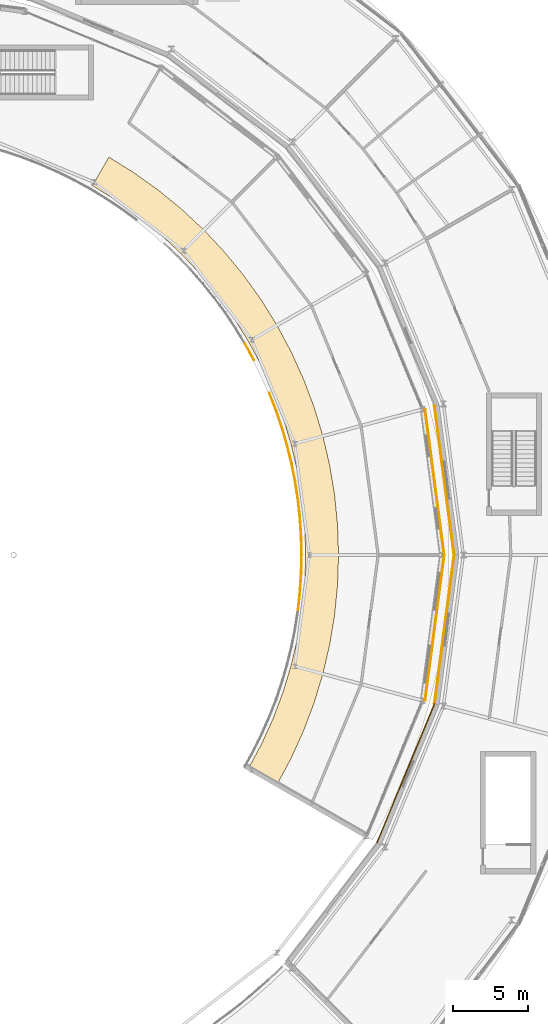
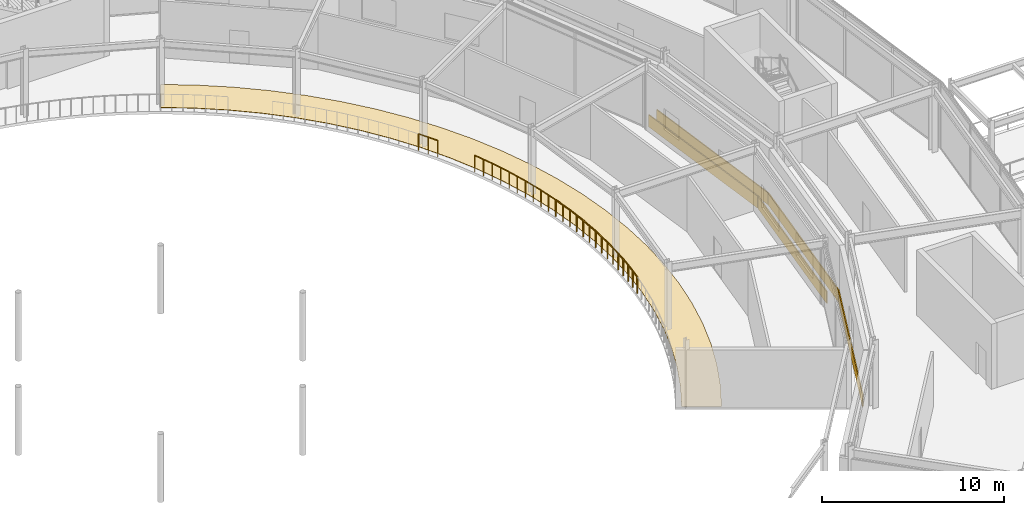
# One storey, part 140 of 157: 13 railings, 6 coverings.
"""IFC4 building model written with IfcOpenShell, lengths in metres."""

import ifcopenshell
import ifcopenshell.guid

model = None  # the IFC model being written
_history = None  # IfcOwnerHistory: only IFC2X3 demands one
_inside = {}  # id of a spatial element -> (the spatial element, [elements in it])
_under = {}  # id of a project, library or spatial element -> (it, [spatial elements below it])
_declared = {}  # id of a project -> (the project, [libraries it declares])
_typed = {}  # id of a type object -> (the type object, [elements of that type])
_made_of = {}  # id of a material, layer set ... -> (it, [elements and type objects made of it])


def new_model(schema):
    """Start an empty IFC model of exactly this schema.

    Asked for "IFC4X3", IfcOpenShell would pick the latest addendum, in which some entities
    have other attributes; the version numbers below select the first issue.
    IFC2X3 requires an IfcOwnerHistory on every rooted entity: one is made here for all.
    """
    global model, _history
    if schema == "IFC4X3":
        model = ifcopenshell.file(schema_version=(4, 3, 0, 0))
    else:
        model = ifcopenshell.file(schema=schema)
    _inside.clear()
    _under.clear()
    _declared.clear()
    _typed.clear()
    _made_of.clear()
    _history = None
    if model.schema == "IFC2X3":
        org = make("IfcOrganization", Name="unknown")
        user = make(
            "IfcPersonAndOrganization",
            ThePerson=make("IfcPerson", FamilyName="unknown"),
            TheOrganization=org,
        )
        app = make(
            "IfcApplication",
            ApplicationDeveloper=org,
            Version="unknown",
            ApplicationFullName="unknown",
            ApplicationIdentifier="unknown",
        )
        _history = make(
            "IfcOwnerHistory",
            OwningUser=user,
            OwningApplication=app,
            ChangeAction="ADDED",
            CreationDate=0,
        )
    return model


def make(cls, **values):
    """One entity of the class cls with the attributes given. An attribute that is None is left unset."""
    return model.create_entity(
        cls, **{name: value for name, value in values.items() if value is not None}
    )


def rooted(cls, **values):
    """An entity with a GlobalId (a new one), such as an element, a storey or a relation."""
    return make(cls, GlobalId=ifcopenshell.guid.new(), OwnerHistory=_history, **values)


def si_unit(unit_type, name, prefix=None):
    """IfcSIUnit, for example si_unit("LENGTHUNIT", "METRE", prefix="MILLI")."""
    return make("IfcSIUnit", UnitType=unit_type, Prefix=prefix, Name=name)


def assignment(units):
    """IfcUnitAssignment: the units of a project."""
    return None if units is None else make("IfcUnitAssignment", Units=units)


def point(xyz):
    """IfcCartesianPoint."""
    return None if xyz is None else make("IfcCartesianPoint", Coordinates=xyz)


def direction(xyz):
    """IfcDirection."""
    return None if xyz is None else make("IfcDirection", DirectionRatios=xyz)


def frame(location, z_axis=None, x_axis=None):
    """IfcAxis2Placement3D, a coordinate frame: its origin and axes. An axis left out is left unset."""
    return make(
        "IfcAxis2Placement3D",
        Location=point(location),
        Axis=direction(z_axis),
        RefDirection=direction(x_axis),
    )


def frame_2d(location, x_axis=None):
    """IfcAxis2Placement2D, a coordinate frame in the plane: its origin and x axis."""
    return make(
        "IfcAxis2Placement2D", Location=point(location), RefDirection=direction(x_axis)
    )


def origin():
    """The frame at (0, 0, 0) with its axes left unset."""
    return frame((0.0, 0.0, 0.0))


def origin_2d():
    """The frame at (0, 0) in the plane with its x axis left unset."""
    return frame_2d((0.0, 0.0))


def place(relative_to, where):
    """IfcLocalPlacement: puts the frame where relative to a parent placement (None: the world)."""
    return make(
        "IfcLocalPlacement", PlacementRelTo=relative_to, RelativePlacement=where
    )


def context(
    kind, dimensions, precision=None, world=None, true_north=None, identifier=None
):
    """IfcGeometricRepresentationContext, for example the 3D "Model" context."""
    return make(
        "IfcGeometricRepresentationContext",
        ContextIdentifier=identifier,
        ContextType=kind,
        CoordinateSpaceDimension=dimensions,
        Precision=precision,
        WorldCoordinateSystem=world,
        TrueNorth=true_north,
    )


def subcontext(parent, identifier, kind, view, scale=None):
    """IfcGeometricRepresentationSubContext, for example "Body" below "Model"."""
    return make(
        "IfcGeometricRepresentationSubContext",
        ContextIdentifier=identifier,
        ContextType=kind,
        ParentContext=parent,
        TargetScale=scale,
        TargetView=view,
    )


def project(units=None, contexts=None):
    """IfcProject with its units and contexts."""
    return rooted(
        "IfcProject",
        Name="project",
        RepresentationContexts=contexts,
        UnitsInContext=assignment(units),
    )


def spatial(cls, under=None, at=None, **own):
    """A site, building, storey or space (cls), placed at a placement, below another one or the project."""
    s = rooted(cls, ObjectPlacement=at, **own)
    if under is not None:
        _under.setdefault(under.id(), (under, []))[1].append(s)
    return s


def polyline(points):
    """IfcPolyline through the points."""
    return make("IfcPolyline", Points=[point(p) for p in points])


def profile(cls, at=None, kind="AREA", **sizes):
    """A parametric profile (cls). Its sizes go by their IFC names, for example OverallWidth=200.0."""
    return make(cls, ProfileType=kind, Position=at, **sizes)


def rectangle(**sizes):
    """IfcRectangleProfileDef."""
    return profile("IfcRectangleProfileDef", **sizes)


def circle(**sizes):
    """IfcCircleProfileDef."""
    return profile("IfcCircleProfileDef", **sizes)


def outline(outer, holes=None, kind="AREA"):
    """IfcArbitraryClosedProfileDef: a profile drawn as a closed curve; with holes, ...WithVoids."""
    if holes is None:
        return make("IfcArbitraryClosedProfileDef", ProfileType=kind, OuterCurve=outer)
    return make(
        "IfcArbitraryProfileDefWithVoids",
        ProfileType=kind,
        OuterCurve=outer,
        InnerCurves=holes,
    )


def extrude(swept, where, along, depth):
    """IfcExtrudedAreaSolid: the profile swept, set in the frame where, extruded along a direction by depth."""
    return make(
        "IfcExtrudedAreaSolid",
        SweptArea=swept,
        Position=where,
        ExtrudedDirection=direction(along),
        Depth=depth,
    )


def shape(context_of_items, identifier, shape_type, items):
    """IfcShapeRepresentation: the items that make up one representation, for example the "Body"."""
    return make(
        "IfcShapeRepresentation",
        ContextOfItems=context_of_items,
        RepresentationIdentifier=identifier,
        RepresentationType=shape_type,
        Items=items,
    )


def material(Name=None, Category=None):
    """IfcMaterial."""
    return make("IfcMaterial", Name=Name, Category=Category)


def layer(
    of_material, thickness, ventilated=None, Name=None, Category=None, Priority=None
):
    """IfcMaterialLayer: one layer of a wall or slab, of a material (None: an air gap)."""
    return make(
        "IfcMaterialLayer",
        Material=of_material,
        LayerThickness=thickness,
        IsVentilated=ventilated,
        Name=Name,
        Category=Category,
        Priority=Priority,
    )


def layer_set(layers, Name=None):
    """IfcMaterialLayerSet."""
    return make("IfcMaterialLayerSet", MaterialLayers=layers, LayerSetName=Name)


def made_of(thing, what):
    """Note that an element or type object is made of a material, layer set ...; save() writes the relation."""
    if what is not None:
        _made_of.setdefault(what.id(), (what, []))[1].append(thing)
    return thing


def type_object(cls, material=None, **own):
    """A type object (cls), such as IfcWallType, which elements share."""
    return made_of(rooted(cls, **own), material)


def element(
    cls,
    number,
    at=None,
    inside=None,
    cuts=None,
    type_object=None,
    material=None,
    context=None,
    identifier="Body",
    shape_type=None,
    held_by="IfcProductDefinitionShape",
    body=None,
    shapes=None,
    **own,
):
    """One element of the class cls, such as IfcWall. Its Tag is "e" and its number.

    at: its placement. inside: the storey or other place that contains it. cuts: it is an
    opening in that element (IfcRelVoidsElement). A single representation is given by context,
    identifier, shape_type and body (its items); several are given by shapes. held_by: the class
    of the entity that holds the representations. save() writes the other relations.
    """
    e = rooted(cls, Tag="e%d" % number, ObjectPlacement=at, **own)
    if body is not None:
        shapes = [shape(context, identifier, shape_type, body)]
    if shapes is not None:
        e.Representation = make(held_by, Representations=shapes)
    if inside is not None:
        _inside.setdefault(inside.id(), (inside, []))[1].append(e)
    if cuts is not None:
        rooted(
            "IfcRelVoidsElement", RelatingBuildingElement=cuts, RelatedOpeningElement=e
        )
    if type_object is not None:
        _typed.setdefault(type_object.id(), (type_object, []))[1].append(e)
    return made_of(e, material)


def aggregate(whole, parts):
    """IfcRelAggregates: a whole, such as a stair, and the parts it consists of."""
    return rooted("IfcRelAggregates", RelatingObject=whole, RelatedObjects=parts)


def save(model, path):
    """Write the relations noted so far, then the file.

    IfcRelAggregates (storeys below a building ...), IfcRelContainedInSpatialStructure (elements
    in a storey), IfcRelDefinesByType, IfcRelAssociatesMaterial and IfcRelDeclares: one each for
    every whole, place, type object, material and project.
    """
    for whole, parts in _under.values():
        aggregate(whole, parts)
    for where, things in _inside.values():
        rooted(
            "IfcRelContainedInSpatialStructure",
            RelatedElements=things,
            RelatingStructure=where,
        )
    for kind, things in _typed.values():
        rooted("IfcRelDefinesByType", RelatedObjects=things, RelatingType=kind)
    for what, things in _made_of.values():
        rooted("IfcRelAssociatesMaterial", RelatedObjects=things, RelatingMaterial=what)
    for by, libraries in _declared.values():
        rooted("IfcRelDeclares", RelatingContext=by, RelatedDefinitions=libraries)
    model.write(path)


model = new_model("IFC4")

# Units and contexts
model_context = context("Model", 3, precision=1e-05, world=origin(), true_north=direction((0.0, 1.0)))
body_context = subcontext(model_context, "Body", "Model", "MODEL_VIEW")
ifc_project = project(units=[si_unit("LENGTHUNIT", "METRE"), si_unit("AREAUNIT", "SQUARE_METRE"), si_unit("VOLUMEUNIT", "CUBIC_METRE"), si_unit("PLANEANGLEUNIT", "RADIAN"), si_unit("MASSUNIT", "GRAM", prefix="KILO")], contexts=[model_context])

# Site, building, storey
site_placement = place(None, origin())
site = spatial("IfcSite", under=ifc_project, at=site_placement, CompositionType="ELEMENT")
building_placement = place(site_placement, origin())
building = spatial("IfcBuilding", under=site, at=building_placement, Name="Almandine Court Research Institute", CompositionType="ELEMENT")
storey_placement = place(building_placement, frame((0.0, 0.0, 5.25)))
storey = spatial("IfcBuildingStorey", under=building, at=storey_placement, Name="L01", CompositionType="ELEMENT", Elevation=5.25)

# Coverings
ifc_material_1 = material(Name="Honed Andean Red-Buff Sandstone Cladding", Category="masonry")
ifc_layer_1 = layer(ifc_material_1, 0.06494140625)
ifc_layer_set_1 = layer_set([ifc_layer_1], Name="Honed Andean Red-Buff Sandstone Cladding")
covering_type_1 = type_object("IfcCoveringType", Name="Cov-CLAD-SAND", PredefinedType="CLADDING", material=ifc_layer_set_1)
for number, where, z_axis, x_axis, name in (
    (1, (122.25, 41.39892578125, 0.02001953125), (0.0, 0.0, 1.0), (0.382683432365, 0.923879532511, 0.0), "L01 Facade Spandrel Cladding Band 299"),
    (2, (124.827880859375, 51.02001953125, 0.02001953125), (0.0, 0.0, 1.0), (0.13052619222, 0.991444861374, 0.0), "L01 Facade Spandrel Cladding Band 301"),
    (3, (124.827880859375, 60.97998046875, 0.02001953125), (0.0, 0.0, 1.0), (-0.13052619222, 0.991444861374, 0.0), "L01 Facade Spandrel Cladding Band 303"),
):
    element("IfcCovering", number, at=place(storey_placement, frame(where, z_axis=z_axis, x_axis=x_axis)), inside=storey, type_object=covering_type_1, Name=name, PredefinedType="CLADDING", context=body_context, shape_type="SweptSolid", body=[
        extrude(rectangle(XDim=10.080078125, YDim=0.06494140625, at=origin_2d()), origin(), (0.0, 0.0, 1.0), 0.800048828125),
    ])
for number, where, z_axis, x_axis, name in (
    (4, (124.181884765625, 51.10498046875, 0.02001953125), (0.0, 0.0, 1.0), (-0.13052619222, -0.991444861374, 0.0), "L01 Facade Spandrel Cladding Band 442"),
    (5, (124.181884765625, 60.89501953125, 0.02001953125), (0.0, 0.0, 1.0), (0.13052619222, -0.991444861374, 0.0), "L01 Facade Spandrel Cladding Band 443"),
):
    element("IfcCovering", number, at=place(storey_placement, frame(where, z_axis=z_axis, x_axis=x_axis)), inside=storey, type_object=covering_type_1, Name=name, PredefinedType="CLADDING", context=body_context, shape_type="SweptSolid", body=[
        extrude(rectangle(XDim=9.821044921875, YDim=0.06494140625, at=origin_2d()), origin(), (0.0, 0.0, 1.0), 0.800048828125),
    ])
ifc_material_2 = material(Name="Honed Andean Basalt Atrium Stone Flooring", Category="masonry")
ifc_layer_2 = layer(ifc_material_2, 0.02001953125)
ifc_layer_set_2 = layer_set([ifc_layer_2], Name="Honed Andean Basalt Atrium Stone Flooring")
covering_type_2 = type_object("IfcCoveringType", Name="Cov-FLR-STONE", PredefinedType="FLOORING", material=ifc_layer_set_2)
covering_placement = place(storey_placement, origin())
element("IfcCovering", 6, at=covering_placement, inside=storey, type_object=covering_type_2, Name="L01 Atrium Promenade Basalt Stone Flooring", PredefinedType="FLOORING", context=body_context, shape_type="SweptSolid", body=[
    extrude(outline(polyline([(113.6298828125, 40.625), (114.5791015625, 42.39990234375), (115.408935546875, 44.23193359375), (116.117919921875, 46.115966796875), (116.701904296875, 48.041015625), (117.158935546875, 50.0009765625), (117.487060546875, 51.986083984375), (117.68408203125, 53.989013671875), (117.75, 56.0), (117.68408203125, 58.010986328125), (117.487060546875, 60.013916015625), (117.158935546875, 61.9990234375), (116.701904296875, 63.958984375), (116.117919921875, 65.884033203125), (115.408935546875, 67.76806640625), (114.5791015625, 69.60009765625), (113.6298828125, 71.375), (112.568115234375, 73.083984375), (111.39599609375, 74.718994140625), (110.118896484375, 76.27490234375), (108.743896484375, 77.743896484375), (107.27490234375, 79.118896484375), (105.718994140625, 80.39599609375), (104.083984375, 81.568115234375), (102.375, 82.6298828125), (101.27490234375, 80.72509765625), (102.862060546875, 79.738037109375), (104.3798828125, 78.64990234375), (105.823974609375, 77.465087890625), (107.18798828125, 76.18798828125), (108.465087890625, 74.823974609375), (109.64990234375, 73.3798828125), (110.738037109375, 71.862060546875), (111.72509765625, 70.27490234375), (112.60595703125, 68.626953125), (113.376953125, 66.926025390625), (114.034912109375, 65.177001953125), (114.576904296875, 63.388916015625), (115.0009765625, 61.570068359375), (115.305908203125, 59.72705078125), (115.489013671875, 57.866943359375), (115.550048828125, 56.0), (115.489013671875, 54.133056640625), (115.305908203125, 52.27294921875), (115.0009765625, 50.429931640625), (114.576904296875, 48.611083984375), (114.034912109375, 46.822998046875), (113.376953125, 45.073974609375), (112.60595703125, 43.373046875), (111.72509765625, 41.72509765625), (113.6298828125, 40.625)])), origin(), (0.0, 0.0, 1.0), 0.02001953125),
])

# Railings
ifc_material_3 = material(Name="Powder-Coated Steel Stair and Atrium Balustrade", Category="steel")
railing_type = type_object("IfcRailingType", Name="Rail-GUARD-INT", PredefinedType="BALUSTRADE", material=ifc_material_3)
railing_1_placement = place(storey_placement, frame((115.0380859375, 52.30908203125, 0.0)))
element("IfcRailing", 7, at=railing_1_placement, inside=storey, type_object=railing_type, Name="L01 Atrium Gallery Void Balustrade 010", PredefinedType="BALUSTRADE", context=body_context, shape_type="SweptSolid", body=[
    extrude(circle(Radius=0.02392578125, at=origin_2d()), frame((0.0, 0.0, 1.09619140625), z_axis=(0.108692965068, 0.994075369046, 0.0), x_axis=(-0.994075369046, 0.108692965068, 0.0)), (0.0, 0.0, 1.0), 1.233154296875),
    extrude(circle(Radius=0.02099609375, at=origin_2d()), origin(), (0.0, 0.0, 1.0), 1.072021484375),
    extrude(circle(Radius=0.02099609375, at=origin_2d()), frame((0.06689453125, 0.61279296875, 0.0)), (0.0, 0.0, 1.0), 1.072021484375),
    extrude(circle(Radius=0.02099609375, at=origin_2d()), frame((0.134033203125, 1.225830078125, 0.0)), (0.0, 0.0, 1.0), 1.072021484375),
])
railing_2_placement = place(storey_placement, frame((115.172119140625, 53.534912109375, 0.0)))
element("IfcRailing", 8, at=railing_2_placement, inside=storey, type_object=railing_type, Name="L01 Atrium Gallery Void Balustrade 011", PredefinedType="BALUSTRADE", context=body_context, shape_type="SweptSolid", body=[
    extrude(circle(Radius=0.02392578125, at=origin_2d()), frame((0.0, 0.0, 1.09619140625), z_axis=(0.065494609862, 0.99785292307, 0.0), x_axis=(-0.99785292307, 0.065494609862, 0.0)), (0.0, 0.0, 1.0), 1.23388671875),
    extrude(circle(Radius=0.02099609375, at=origin_2d()), origin(), (0.0, 0.0, 1.0), 1.072021484375),
    extrude(circle(Radius=0.02099609375, at=origin_2d()), frame((0.04052734375, 0.61572265625, 0.0)), (0.0, 0.0, 1.0), 1.072021484375),
    extrude(circle(Radius=0.02099609375, at=origin_2d()), frame((0.080810546875, 1.231201171875, 0.0)), (0.0, 0.0, 1.0), 1.072021484375),
])
railing_3_placement = place(storey_placement, frame((115.2529296875, 54.76611328125, 0.0)))
element("IfcRailing", 9, at=railing_3_placement, inside=storey, type_object=railing_type, Name="L01 Atrium Gallery Void Balustrade 012", PredefinedType="BALUSTRADE", context=body_context, shape_type="SweptSolid", body=[
    extrude(circle(Radius=0.02392578125, at=origin_2d()), frame((0.0, 0.0, 1.09619140625), z_axis=(0.021957506617, 0.999758904888, 0.0), x_axis=(-0.999758904888, 0.021957506617, 0.0)), (0.0, 0.0, 1.0), 1.234130859375),
    extrude(circle(Radius=0.02099609375, at=origin_2d()), origin(), (0.0, 0.0, 1.0), 1.072021484375),
    extrude(circle(Radius=0.02099609375, at=origin_2d()), frame((0.013671875, 0.616943359375, 0.0)), (0.0, 0.0, 1.0), 1.072021484375),
    extrude(circle(Radius=0.02099609375, at=origin_2d()), frame((0.027099609375, 1.23388671875, 0.0)), (0.0, 0.0, 1.0), 1.072021484375),
])
railing_4_placement = place(storey_placement, frame((115.280029296875, 56.0, 0.0)))
element("IfcRailing", 10, at=railing_4_placement, inside=storey, type_object=railing_type, Name="L01 Atrium Gallery Void Balustrade 013", PredefinedType="BALUSTRADE", context=body_context, shape_type="SweptSolid", body=[
    extrude(circle(Radius=0.02392578125, at=origin_2d()), frame((0.0, 0.0, 1.09619140625), z_axis=(-0.021957506617, 0.999758904888, 0.0), x_axis=(-0.999758904888, -0.021957506617, 0.0)), (0.0, 0.0, 1.0), 1.234130859375),
    extrude(circle(Radius=0.02099609375, at=origin_2d()), origin(), (0.0, 0.0, 1.0), 1.072021484375),
    extrude(circle(Radius=0.02099609375, at=origin_2d()), frame((-0.013671875, 0.616943359375, 0.0)), (0.0, 0.0, 1.0), 1.072021484375),
    extrude(circle(Radius=0.02099609375, at=origin_2d()), frame((-0.027099609375, 1.23388671875, 0.0)), (0.0, 0.0, 1.0), 1.072021484375),
])
railing_5_placement = place(storey_placement, frame((115.2529296875, 57.23388671875, 0.0)))
element("IfcRailing", 11, at=railing_5_placement, inside=storey, type_object=railing_type, Name="L01 Atrium Gallery Void Balustrade 014", PredefinedType="BALUSTRADE", context=body_context, shape_type="SweptSolid", body=[
    extrude(circle(Radius=0.02392578125, at=origin_2d()), frame((0.0, 0.0, 1.09619140625), z_axis=(-0.065494609862, 0.99785292307, 0.0), x_axis=(-0.99785292307, -0.065494609862, 0.0)), (0.0, 0.0, 1.0), 1.23388671875),
    extrude(circle(Radius=0.02099609375, at=origin_2d()), origin(), (0.0, 0.0, 1.0), 1.072021484375),
    extrude(circle(Radius=0.02099609375, at=origin_2d()), frame((-0.04052734375, 0.61572265625, 0.0)), (0.0, 0.0, 1.0), 1.072021484375),
    extrude(circle(Radius=0.02099609375, at=origin_2d()), frame((-0.080810546875, 1.231201171875, 0.0)), (0.0, 0.0, 1.0), 1.072021484375),
])
railing_6_placement = place(storey_placement, frame((115.172119140625, 58.465087890625, 0.0)))
element("IfcRailing", 12, at=railing_6_placement, inside=storey, type_object=railing_type, Name="L01 Atrium Gallery Void Balustrade 015", PredefinedType="BALUSTRADE", context=body_context, shape_type="SweptSolid", body=[
    extrude(circle(Radius=0.02392578125, at=origin_2d()), frame((0.0, 0.0, 1.09619140625), z_axis=(-0.108692965068, 0.994075369046, 0.0), x_axis=(-0.994075369046, -0.108692965068, 0.0)), (0.0, 0.0, 1.0), 1.233154296875),
    extrude(circle(Radius=0.02099609375, at=origin_2d()), origin(), (0.0, 0.0, 1.0), 1.072021484375),
    extrude(circle(Radius=0.02099609375, at=origin_2d()), frame((-0.06689453125, 0.61279296875, 0.0)), (0.0, 0.0, 1.0), 1.072021484375),
    extrude(circle(Radius=0.02099609375, at=origin_2d()), frame((-0.134033203125, 1.225830078125, 0.0)), (0.0, 0.0, 1.0), 1.072021484375),
])
railing_7_placement = place(storey_placement, frame((115.0380859375, 59.69091796875, 0.0)))
element("IfcRailing", 13, at=railing_7_placement, inside=storey, type_object=railing_type, Name="L01 Atrium Gallery Void Balustrade 016", PredefinedType="BALUSTRADE", context=body_context, shape_type="SweptSolid", body=[
    extrude(circle(Radius=0.02392578125, at=origin_2d()), frame((0.0, 0.0, 1.09619140625), z_axis=(-0.152294979987, 0.988335084408, 0.0), x_axis=(-0.988335084408, -0.152294979987, 0.0)), (0.0, 0.0, 1.0), 1.234375),
    extrude(circle(Radius=0.02099609375, at=origin_2d()), origin(), (0.0, 0.0, 1.0), 1.072021484375),
    extrude(circle(Radius=0.02099609375, at=origin_2d()), frame((-0.093994140625, 0.60986328125, 0.0)), (0.0, 0.0, 1.0), 1.072021484375),
    extrude(circle(Radius=0.02099609375, at=origin_2d()), frame((-0.18798828125, 1.219970703125, 0.0)), (0.0, 0.0, 1.0), 1.072021484375),
])
railing_8_placement = place(storey_placement, frame((114.85009765625, 60.910888671875, 0.0)))
element("IfcRailing", 14, at=railing_8_placement, inside=storey, type_object=railing_type, Name="L01 Atrium Gallery Void Balustrade 017", PredefinedType="BALUSTRADE", context=body_context, shape_type="SweptSolid", body=[
    extrude(circle(Radius=0.02392578125, at=origin_2d()), frame((0.0, 0.0, 1.09619140625), z_axis=(-0.194517600272, 0.980899028027, 0.0), x_axis=(-0.980899028027, -0.194517600272, 0.0)), (0.0, 0.0, 1.0), 1.23388671875),
    extrude(circle(Radius=0.02099609375, at=origin_2d()), origin(), (0.0, 0.0, 1.0), 1.072021484375),
    extrude(circle(Radius=0.02099609375, at=origin_2d()), frame((-0.1201171875, 0.60498046875, 0.0)), (0.0, 0.0, 1.0), 1.072021484375),
    extrude(circle(Radius=0.02099609375, at=origin_2d()), frame((-0.239990234375, 1.210205078125, 0.0)), (0.0, 0.0, 1.0), 1.072021484375),
])
railing_9_placement = place(storey_placement, frame((114.610107421875, 62.12109375, 0.0)))
element("IfcRailing", 15, at=railing_9_placement, inside=storey, type_object=railing_type, Name="L01 Atrium Gallery Void Balustrade 018", PredefinedType="BALUSTRADE", context=body_context, shape_type="SweptSolid", body=[
    extrude(circle(Radius=0.02392578125, at=origin_2d()), frame((0.0, 0.0, 1.09619140625), z_axis=(-0.238482165634, 0.971146876983, 0.0), x_axis=(-0.971146876983, -0.238482165634, 0.0)), (0.0, 0.0, 1.0), 1.233642578125),
    extrude(circle(Radius=0.02099609375, at=origin_2d()), origin(), (0.0, 0.0, 1.0), 1.072021484375),
    extrude(circle(Radius=0.02099609375, at=origin_2d()), frame((-0.14697265625, 0.59912109375, 0.0)), (0.0, 0.0, 1.0), 1.072021484375),
    extrude(circle(Radius=0.02099609375, at=origin_2d()), frame((-0.294189453125, 1.197998046875, 0.0)), (0.0, 0.0, 1.0), 1.072021484375),
])
railing_10_placement = place(storey_placement, frame((114.31591796875, 63.319091796875, 0.0)))
element("IfcRailing", 16, at=railing_10_placement, inside=storey, type_object=railing_type, Name="L01 Atrium Gallery Void Balustrade 019", PredefinedType="BALUSTRADE", context=body_context, shape_type="SweptSolid", body=[
    extrude(circle(Radius=0.02392578125, at=origin_2d()), frame((0.0, 0.0, 1.09619140625), z_axis=(-0.279551737055, 0.960130629815, 0.0), x_axis=(-0.960130629815, -0.279551737055, 0.0)), (0.0, 0.0, 1.0), 1.234130859375),
    extrude(circle(Radius=0.02099609375, at=origin_2d()), origin(), (0.0, 0.0, 1.0), 1.072021484375),
    extrude(circle(Radius=0.02099609375, at=origin_2d()), frame((-0.17236328125, 0.59228515625, 0.0)), (0.0, 0.0, 1.0), 1.072021484375),
    extrude(circle(Radius=0.02099609375, at=origin_2d()), frame((-0.344970703125, 1.184814453125, 0.0)), (0.0, 0.0, 1.0), 1.072021484375),
])
railing_11_placement = place(storey_placement, frame((113.970947265625, 64.50390625, 0.0)))
element("IfcRailing", 17, at=railing_11_placement, inside=storey, type_object=railing_type, Name="L01 Atrium Gallery Void Balustrade 020", PredefinedType="BALUSTRADE", context=body_context, shape_type="SweptSolid", body=[
    extrude(circle(Radius=0.02392578125, at=origin_2d()), frame((0.0, 0.0, 1.09619140625), z_axis=(-0.321033263354, 0.947067919328, 0.0), x_axis=(-0.947067919328, -0.321033263354, 0.0)), (0.0, 0.0, 1.0), 1.2333984375),
    extrude(circle(Radius=0.02099609375, at=origin_2d()), origin(), (0.0, 0.0, 1.0), 1.072021484375),
    extrude(circle(Radius=0.02099609375, at=origin_2d()), frame((-0.197998046875, 0.583984375, 0.0)), (0.0, 0.0, 1.0), 1.072021484375),
    extrude(circle(Radius=0.02099609375, at=origin_2d()), frame((-0.39599609375, 1.168212890625, 0.0)), (0.0, 0.0, 1.0), 1.072021484375),
])
railing_12_placement = place(storey_placement, frame((113.574951171875, 65.672119140625, 0.0)))
element("IfcRailing", 18, at=railing_12_placement, inside=storey, type_object=railing_type, Name="L01 Atrium Gallery Void Balustrade 021", PredefinedType="BALUSTRADE", context=body_context, shape_type="SweptSolid", body=[
    extrude(circle(Radius=0.02392578125, at=origin_2d()), frame((0.0, 0.0, 1.09619140625), z_axis=(-0.363018999562, 0.931781737295, 0.0), x_axis=(-0.931781737295, -0.363018999562, 0.0)), (0.0, 0.0, 1.0), 1.234130859375),
    extrude(circle(Radius=0.02099609375, at=origin_2d()), origin(), (0.0, 0.0, 1.0), 1.072021484375),
    extrude(circle(Radius=0.02099609375, at=origin_2d()), frame((-0.22412109375, 0.574951171875, 0.0)), (0.0, 0.0, 1.0), 1.072021484375),
    extrude(circle(Radius=0.02099609375, at=origin_2d()), frame((-0.447998046875, 1.14990234375, 0.0)), (0.0, 0.0, 1.0), 1.072021484375),
])
railing_13_placement = place(storey_placement, frame((112.0849609375, 69.05810546875, 0.0)))
element("IfcRailing", 19, at=railing_13_placement, inside=storey, type_object=railing_type, Name="L01 Atrium Gallery Void Balustrade 024", PredefinedType="BALUSTRADE", context=body_context, shape_type="SweptSolid", body=[
    extrude(circle(Radius=0.02392578125, at=origin_2d()), frame((0.0, 0.0, 1.09619140625), z_axis=(-0.481303518995, 0.876554004385, 0.0), x_axis=(-0.876554004385, -0.481303518995, 0.0)), (0.0, 0.0, 1.0), 1.234130859375),
    extrude(circle(Radius=0.02099609375, at=origin_2d()), origin(), (0.0, 0.0, 1.0), 1.072021484375),
    extrude(circle(Radius=0.02099609375, at=origin_2d()), frame((-0.296875, 0.541015625, 0.0)), (0.0, 0.0, 1.0), 1.072021484375),
    extrude(circle(Radius=0.02099609375, at=origin_2d()), frame((-0.593994140625, 1.081787109375, 0.0)), (0.0, 0.0, 1.0), 1.072021484375),
])

save(model, "model.ifc")
